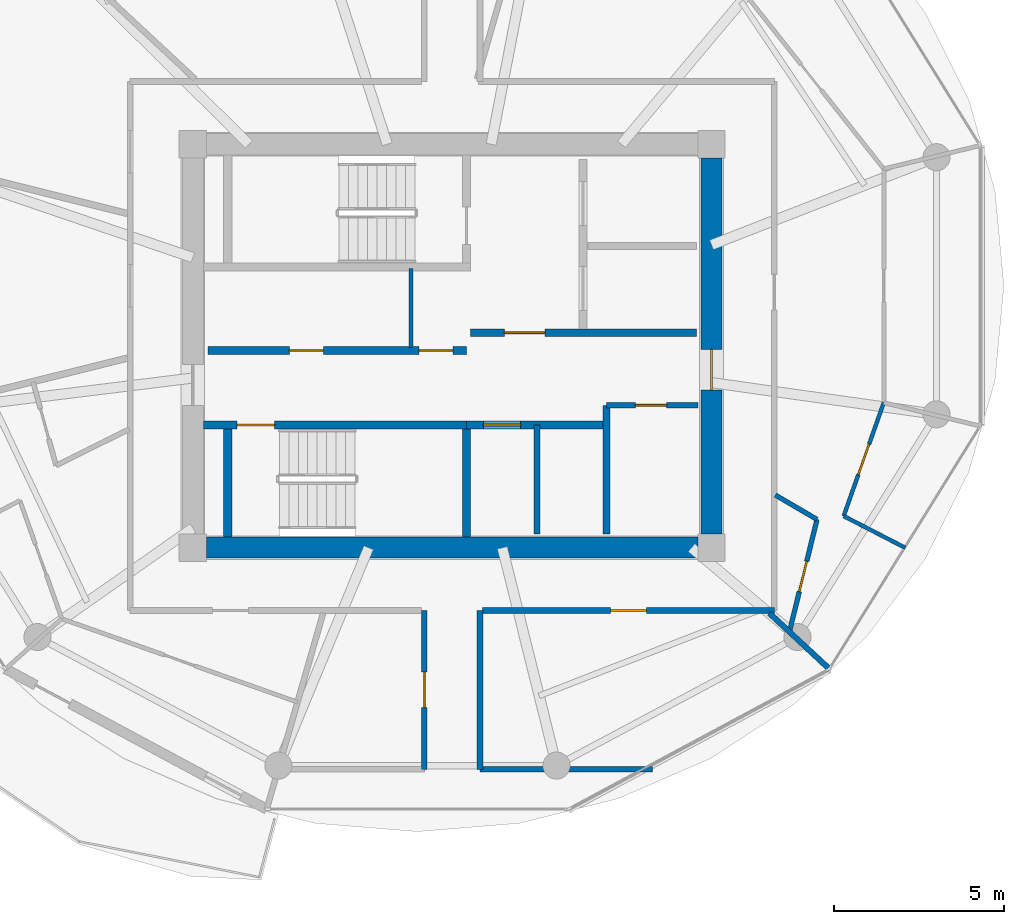
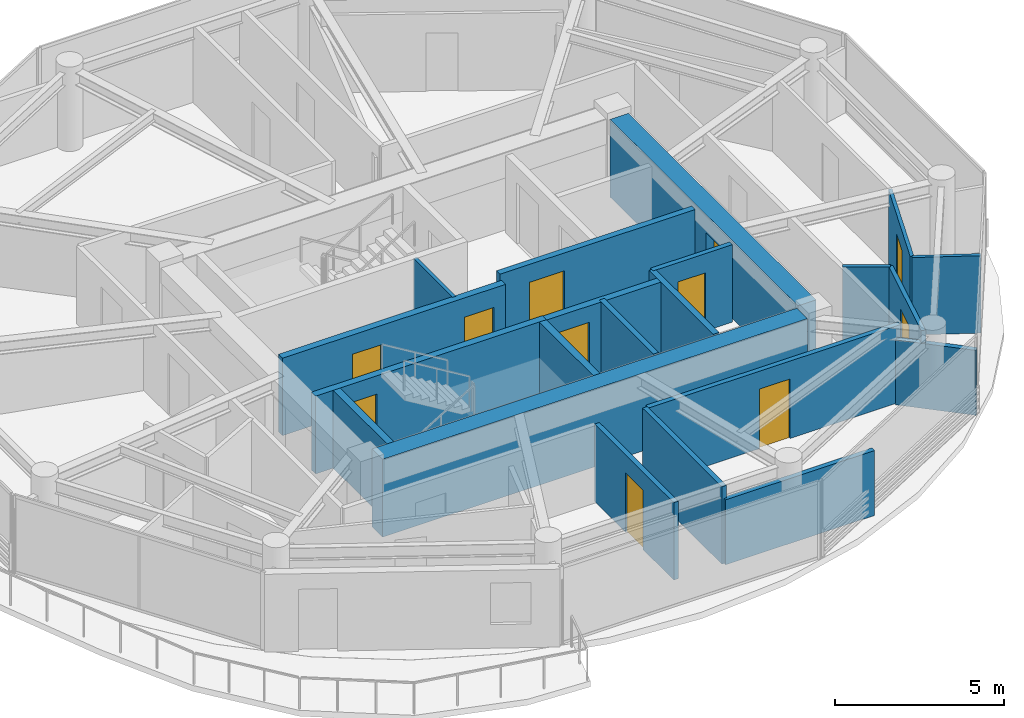
# One storey, part 16 of 21: 21 walls, 11 doors, 11 openings.
"""IFC4 building model written with IfcOpenShell, lengths in metres."""

from ifc_helpers import new_model, si_unit, direction, frame, frame_2d, origin, place, context, subcontext, project, spatial, rectangle, extrude, source, transform, mapped, material, layer, layer_set, type_object, type_shapes, element, fill, save


model = new_model("IFC4")

# Units and contexts
model_context = context("Model", 3, precision=1e-05, world=origin(), true_north=direction((0.0, 1.0)))
body_context = subcontext(model_context, "Body", "Model", "MODEL_VIEW")
ifc_project = project(units=[si_unit("LENGTHUNIT", "METRE"), si_unit("AREAUNIT", "SQUARE_METRE"), si_unit("VOLUMEUNIT", "CUBIC_METRE"), si_unit("PLANEANGLEUNIT", "RADIAN"), si_unit("MASSUNIT", "GRAM", prefix="KILO")], contexts=[model_context])

# Site, building, storey
site_placement = place(None, origin())
site = spatial("IfcSite", under=ifc_project, at=site_placement, CompositionType="ELEMENT")
building_placement = place(site_placement, origin())
building = spatial("IfcBuilding", under=site, at=building_placement, Name="Norrkilde Senior Care Towers", CompositionType="ELEMENT")
storey_placement = place(building_placement, frame((0.0, 0.0, 140.39990234375)))
storey = spatial("IfcBuildingStorey", under=building, at=storey_placement, Name="L43", CompositionType="ELEMENT", Elevation=140.39990234375)

# Wall
ifc_material_1 = material(Name="Concrete C50/60", Category="concrete")
ifc_layer_1 = layer(ifc_material_1, 0.6201171875)
ifc_layer_set_1 = layer_set([ifc_layer_1], Name="Concrete C50/60")
wall_type_1 = type_object("IfcWallType", Name="Core Shear Wall Z3 620", PredefinedType="SHEAR", material=ifc_layer_set_1)
shared_shape_1 = source(origin(), body_context, "Body", "SweptSolid", [
    extrude(rectangle(XDim=14.5, YDim=0.6201171875, at=frame_2d((7.25, 0.0))), origin(), (0.0, 0.0, 1.0), 2.81005859375),
])
wall_1_placement = place(storey_placement, frame((35.25, -5.949951171875, 0.0), z_axis=(0.0, 0.0, 1.0), x_axis=(-1.0, 0.0, 0.0)))
element("IfcWall", 1, at=wall_1_placement, inside=storey, type_object=wall_type_1, Name="L43 Core E South Shear Wall", PredefinedType="SHEAR", context=body_context, shape_type="MappedRepresentation", body=[
    mapped(shared_shape_1, transform((0.0, 0.0, 0.0), x_axis=(1.0, 0.0, 0.0), y_axis=(0.0, 1.0, 0.0), z_axis=(0.0, 0.0, 1.0), scale=1.0)),
])

# Wall, opening, door
shared_shape_2 = source(origin(), body_context, "Body", "SweptSolid", [
    extrude(rectangle(XDim=11.10009765625, YDim=0.6201171875, at=frame_2d((5.550048828125, 0.0))), origin(), (0.0, 0.0, 1.0), 2.81005859375),
])
type_shapes(wall_type_1, [shared_shape_1, shared_shape_2])
wall_2_placement = place(storey_placement, frame((35.64990234375, 5.550048828125, 0.0), z_axis=(0.0, 0.0, 1.0), x_axis=(0.0, -1.0, 0.0)))
wall_2 = element("IfcWall", 2, at=wall_2_placement, inside=storey, type_object=wall_type_1, Name="L43 Core E East Shear Wall", PredefinedType="SHEAR", context=body_context, shape_type="MappedRepresentation", body=[
    mapped(shared_shape_2, transform((0.0, 0.0, 0.0), x_axis=(1.0, 0.0, 0.0), y_axis=(0.0, 1.0, 0.0), z_axis=(0.0, 0.0, 1.0), scale=1.0)),
])
opening_1_placement = place(wall_2_placement, frame((5.64990234375, 0.0, 0.0)))
opening_1 = element("IfcOpeningElement", 3, at=opening_1_placement, cuts=wall_2, Name="Opening D-04", PredefinedType="OPENING", context=body_context, shape_type="SweptSolid", body=[
    extrude(rectangle(XDim=1.199951171875, YDim=2.14990234375, at=frame_2d((0.60009765625, 1.074951171875))), frame((0.0, 0.320068359375, 0.0), z_axis=(0.0, -1.0, 0.0), x_axis=(1.0, 0.0, 0.0)), (0.0, 0.0, 1.0), 0.64013671875),
])
ifc_material_2 = material(Name="Galvanised Painted Steel", Category="steel")
door_type_1 = type_object("IfcDoorType", Name="Firefighting Lobby Fire Door 1200x2150", OperationType="NOTDEFINED", PredefinedType="DOOR", material=ifc_material_2)
shared_shape_3 = source(origin(), body_context, "Body", "SweptSolid", [
    extrude(rectangle(XDim=1.199951171875, YDim=2.14990234375, at=frame_2d((0.60009765625, 1.074951171875))), frame((0.0, 0.02490234375, 0.0), z_axis=(0.0, -1.0, 0.0), x_axis=(1.0, 0.0, 0.0)), (0.0, 0.0, 1.0), 0.050048828125),
])
type_shapes(door_type_1, [shared_shape_3])
door_1_placement = place(opening_1_placement, frame((1.199951171875, 0.0, 0.0), z_axis=(0.0, 0.0, 1.0), x_axis=(-1.0, 0.0, 0.0)))
door_1 = element("IfcDoor", 4, at=door_1_placement, inside=storey, type_object=door_type_1, Name="L43 Core E East Portal Door", OperationType="SINGLE_SWING_RIGHT", OverallHeight=2.14990234375, OverallWidth=1.199951171875, PredefinedType="DOOR", context=body_context, shape_type="MappedRepresentation", body=[
    mapped(shared_shape_3, transform((0.0, 0.0, 0.0), x_axis=(1.0, 0.0, 0.0), y_axis=(0.0, 1.0, 0.0), z_axis=(0.0, 0.0, 1.0), scale=1.0)),
])
fill(opening_1, door_1)

ifc_material_3 = material(Name="Concrete C45/55", Category="concrete")
ifc_layer_2 = layer(ifc_material_3, 0.239990234375)
ifc_layer_set_2 = layer_set([ifc_layer_2], Name="Concrete C45/55")
wall_type_2 = type_object("IfcWallType", Name="Shaft and Stair Enclosure Wall 240", PredefinedType="PARTITIONING", material=ifc_layer_set_2)
shared_shape_4 = source(origin(), body_context, "Body", "SweptSolid", [
    extrude(rectangle(XDim=7.880126953125, YDim=0.239990234375, at=frame_2d((3.93994140625, 0.0))), origin(), (0.0, 0.0, 1.0), 2.81005859375),
])
wall_3_placement = place(storey_placement, frame((20.659912109375, -2.330078125, 0.0), z_axis=(0.0, 0.0, 1.0), x_axis=(1.0, 0.0, 0.0)))
wall_3 = element("IfcWall", 5, at=wall_3_placement, inside=storey, type_object=wall_type_2, Name="WL-INT-L43-E-ST2N", PredefinedType="PARTITIONING", context=body_context, shape_type="MappedRepresentation", body=[
    mapped(shared_shape_4, transform((0.0, 0.0, 0.0), x_axis=(1.0, 0.0, 0.0), y_axis=(0.0, 1.0, 0.0), z_axis=(0.0, 0.0, 1.0), scale=1.0)),
])
opening_2_placement = place(wall_3_placement, frame((1.0, 0.0, 0.0)))
opening_2 = element("IfcOpeningElement", 6, at=opening_2_placement, cuts=wall_3, Name="Opening D-03", PredefinedType="OPENING", context=body_context, shape_type="SweptSolid", body=[
    extrude(rectangle(XDim=1.10009765625, YDim=2.14990234375, at=frame_2d((0.550048828125, 1.074951171875))), frame((0.0, 0.1298828125, 0.0), z_axis=(0.0, -1.0, 0.0), x_axis=(1.0, 0.0, 0.0)), (0.0, 0.0, 1.0), 0.260009765625),
])
door_type_2 = type_object("IfcDoorType", Name="Stairwell Protected Fire Door 1100x2150", OperationType="NOTDEFINED", PredefinedType="DOOR", material=ifc_material_2)
shared_shape_5 = source(origin(), body_context, "Body", "SweptSolid", [
    extrude(rectangle(XDim=1.10009765625, YDim=2.14990234375, at=frame_2d((0.550048828125, 1.074951171875))), frame((0.0, 0.02490234375, 0.0), z_axis=(0.0, -1.0, 0.0), x_axis=(1.0, 0.0, 0.0)), (0.0, 0.0, 1.0), 0.050048828125),
])
type_shapes(door_type_2, [shared_shape_5])
door_2_placement = place(opening_2_placement, frame((1.10009765625, 0.0, 0.0), z_axis=(0.0, 0.0, 1.0), x_axis=(-1.0, 0.0, 0.0)))
door_2 = element("IfcDoor", 7, at=door_2_placement, inside=storey, type_object=door_type_2, Name="L43 Stair E2 Fire Door", OperationType="SINGLE_SWING_RIGHT", OverallHeight=2.14990234375, OverallWidth=1.10009765625, PredefinedType="DOOR", context=body_context, shape_type="MappedRepresentation", body=[
    mapped(shared_shape_5, transform((0.0, 0.0, 0.0), x_axis=(1.0, 0.0, 0.0), y_axis=(0.0, 1.0, 0.0), z_axis=(0.0, 0.0, 1.0), scale=1.0)),
])
fill(opening_2, door_2)

# Walls
shared_shape_6 = source(origin(), body_context, "Body", "SweptSolid", [
    extrude(rectangle(XDim=3.18994140625, YDim=0.239990234375, at=frame_2d((1.594970703125, 0.0))), origin(), (0.0, 0.0, 1.0), 2.81005859375),
])
type_shapes(wall_type_2, [shared_shape_4, shared_shape_6])
for number, where, z_axis, x_axis, name in (
    (8, (21.3798828125, -5.639892578125, 0.0), (0.0, 0.0, 1.0), (0.0, 1.0, 0.0), "WL-INT-L43-E-ST2W"),
    (9, (28.419921875, -5.639892578125, 0.0), (0.0, 0.0, 1.0), (0.0, 1.0, 0.0), "WL-INT-L43-E-ST2E"),
):
    element("IfcWall", number, at=place(storey_placement, frame(where, z_axis=z_axis, x_axis=x_axis)), inside=storey, type_object=wall_type_2, Name=name, PredefinedType="PARTITIONING", context=body_context, shape_type="MappedRepresentation", body=[
        mapped(shared_shape_6, transform((0.0, 0.0, 0.0), x_axis=(1.0, 0.0, 0.0), y_axis=(0.0, 1.0, 0.0), z_axis=(0.0, 0.0, 1.0), scale=1.0)),
    ])

# Wall, opening, door
ifc_layer_3 = layer(ifc_material_3, 0.2099609375)
ifc_layer_set_3 = layer_set([ifc_layer_3], Name="Concrete C45/55")
wall_type_3 = type_object("IfcWallType", Name="Firefighting Lobby Wall 210", PredefinedType="PARTITIONING", material=ifc_layer_set_3)
shared_shape_7 = source(origin(), body_context, "Body", "SweptSolid", [
    extrude(rectangle(XDim=6.659912109375, YDim=0.2099609375, at=frame_2d((3.330078125, 0.0))), origin(), (0.0, 0.0, 1.0), 2.795166015625),
])
type_shapes(wall_type_3, [shared_shape_7])
wall_4_placement = place(storey_placement, frame((28.5400390625, 0.389892578125, 0.0), z_axis=(0.0, 0.0, 1.0), x_axis=(1.0, 0.0, 0.0)))
wall_4 = element("IfcWall", 10, at=wall_4_placement, inside=storey, type_object=wall_type_3, Name="WL-INT-L43-E-FFLS", PredefinedType="PARTITIONING", context=body_context, shape_type="MappedRepresentation", body=[
    mapped(shared_shape_7, transform((0.0, 0.0, 0.0), x_axis=(1.0, 0.0, 0.0), y_axis=(0.0, 1.0, 0.0), z_axis=(0.0, 0.0, 1.0), scale=1.0)),
])
opening_3_placement = place(wall_4_placement, frame((1.0, 0.0, 0.0)))
opening_3 = element("IfcOpeningElement", 11, at=opening_3_placement, cuts=wall_4, Name="Opening D-04", PredefinedType="OPENING", context=body_context, shape_type="SweptSolid", body=[
    extrude(rectangle(XDim=1.199951171875, YDim=2.14990234375, at=frame_2d((0.60009765625, 1.074951171875))), frame((0.0, 0.114990234375, 0.0), z_axis=(0.0, -1.0, 0.0), x_axis=(1.0, 0.0, 0.0)), (0.0, 0.0, 1.0), 0.22998046875),
])
door_3_placement = place(opening_3_placement, frame((1.199951171875, 0.0, 0.0), z_axis=(0.0, 0.0, 1.0), x_axis=(-1.0, 0.0, 0.0)))
door_3 = element("IfcDoor", 12, at=door_3_placement, inside=storey, type_object=door_type_1, Name="L43 Firefighting Lobby E Door", OperationType="SINGLE_SWING_LEFT", OverallHeight=2.14990234375, OverallWidth=1.199951171875, PredefinedType="DOOR", context=body_context, shape_type="MappedRepresentation", body=[
    mapped(shared_shape_3, transform((0.0, 0.0, 0.0), x_axis=(1.0, 0.0, 0.0), y_axis=(0.0, 1.0, 0.0), z_axis=(0.0, 0.0, 1.0), scale=1.0)),
])
fill(opening_3, door_3)

# Wall, openings, doors
ifc_layer_4 = layer(ifc_material_3, 0.239990234375)
ifc_layer_set_4 = layer_set([ifc_layer_4], Name="Concrete C45/55")
wall_type_4 = type_object("IfcWallType", Name="Lift and Plant Rated Enclosure Partition 240", PredefinedType="PARTITIONING", material=ifc_layer_set_4)
shared_shape_8 = source(origin(), body_context, "Body", "SweptSolid", [
    extrude(rectangle(XDim=7.619873046875, YDim=0.239990234375, at=frame_2d((3.81005859375, 0.0))), origin(), (0.0, 0.0, 1.0), 2.795166015625),
])
wall_5_placement = place(storey_placement, frame((20.800048828125, -0.1298828125, 0.0), z_axis=(0.0, 0.0, 1.0), x_axis=(1.0, 0.0, 0.0)))
wall_5 = element("IfcWall", 13, at=wall_5_placement, inside=storey, type_object=wall_type_4, Name="WL-INT-L43-E-PKAS", PredefinedType="PARTITIONING", context=body_context, shape_type="MappedRepresentation", body=[
    mapped(shared_shape_8, transform((0.0, 0.0, 0.0), x_axis=(1.0, 0.0, 0.0), y_axis=(0.0, 1.0, 0.0), z_axis=(0.0, 0.0, 1.0), scale=1.0)),
])
opening_4_placement = place(wall_5_placement, frame((6.219970703125, 0.0, 0.0)))
opening_4 = element("IfcOpeningElement", 14, at=opening_4_placement, cuts=wall_5, Name="Opening D-10", PredefinedType="OPENING", context=body_context, shape_type="SweptSolid", body=[
    extrude(rectangle(XDim=1.0, YDim=2.10009765625, at=frame_2d((0.5, 1.050048828125))), frame((0.0, 0.1298828125, 0.0), z_axis=(0.0, -1.0, 0.0), x_axis=(1.0, 0.0, 0.0)), (0.0, 0.0, 1.0), 0.260009765625),
])
opening_5_placement = place(wall_5_placement, frame((2.39990234375, 0.0, 0.0)))
opening_5 = element("IfcOpeningElement", 15, at=opening_5_placement, cuts=wall_5, Name="Opening D-10", PredefinedType="OPENING", context=body_context, shape_type="SweptSolid", body=[
    extrude(rectangle(XDim=1.0, YDim=2.10009765625, at=frame_2d((0.5, 1.050048828125))), frame((0.0, 0.1298828125, 0.0), z_axis=(0.0, -1.0, 0.0), x_axis=(1.0, 0.0, 0.0)), (0.0, 0.0, 1.0), 0.260009765625),
])
door_type_3 = type_object("IfcDoorType", Name="Plant and Riser Rated Door 1000x2100", OperationType="NOTDEFINED", PredefinedType="DOOR", material=ifc_material_2)
shared_shape_9 = source(origin(), body_context, "Body", "SweptSolid", [
    extrude(rectangle(XDim=1.0, YDim=2.10009765625, at=frame_2d((0.5, 1.050048828125))), frame((0.0, 0.02490234375, 0.0), z_axis=(0.0, -1.0, 0.0), x_axis=(1.0, 0.0, 0.0)), (0.0, 0.0, 1.0), 0.050048828125),
])
type_shapes(door_type_3, [shared_shape_9])
door_4_placement = place(opening_4_placement, frame((1.0, 0.0, 0.0), z_axis=(0.0, 0.0, 1.0), x_axis=(-1.0, 0.0, 0.0)))
door_4 = element("IfcDoor", 16, at=door_4_placement, inside=storey, type_object=door_type_3, Name="L43 Electrical Riser E Door", OperationType="SINGLE_SWING_LEFT", OverallHeight=2.10009765625, OverallWidth=1.0, PredefinedType="DOOR", context=body_context, shape_type="MappedRepresentation", body=[
    mapped(shared_shape_9, transform((0.0, 0.0, 0.0), x_axis=(1.0, 0.0, 0.0), y_axis=(0.0, 1.0, 0.0), z_axis=(0.0, 0.0, 1.0), scale=1.0)),
])
fill(opening_4, door_4)
door_5_placement = place(opening_5_placement, frame((1.0, 0.0, 0.0), z_axis=(0.0, 0.0, 1.0), x_axis=(-1.0, 0.0, 0.0)))
door_5 = element("IfcDoor", 17, at=door_5_placement, inside=storey, type_object=door_type_3, Name="L43 Clean Supply Store E Door", OperationType="SINGLE_SWING_LEFT", OverallHeight=2.10009765625, OverallWidth=1.0, PredefinedType="DOOR", context=body_context, shape_type="MappedRepresentation", body=[
    mapped(shared_shape_9, transform((0.0, 0.0, 0.0), x_axis=(1.0, 0.0, 0.0), y_axis=(0.0, 1.0, 0.0), z_axis=(0.0, 0.0, 1.0), scale=1.0)),
])
fill(opening_5, door_5)

# Walls
ifc_material_4 = material(Name="Gypsum Acoustic Board")
ifc_layer_5 = layer(ifc_material_4, 0.114990234375)
ifc_layer_set_5 = layer_set([ifc_layer_5], Name="Gypsum Acoustic Board")
wall_type_5 = type_object("IfcWallType", Name="Internal Room Partition 115", PredefinedType="PARTITIONING", material=ifc_layer_set_5)
shared_shape_10 = source(origin(), body_context, "Body", "SweptSolid", [
    extrude(rectangle(XDim=2.330078125, YDim=0.114990234375, at=frame_2d((1.1650390625, 0.0))), origin(), (0.0, 0.0, 1.0), 2.795166015625),
])
wall_6_placement = place(storey_placement, frame((26.7900390625, -0.050048828125, 0.0), z_axis=(0.0, 0.0, 1.0), x_axis=(0.0, 1.0, 0.0)))
element("IfcWall", 18, at=wall_6_placement, inside=storey, type_object=wall_type_5, Name="WL-INT-L43-E-RISW", PredefinedType="PARTITIONING", context=body_context, shape_type="MappedRepresentation", body=[
    mapped(shared_shape_10, transform((0.0, 0.0, 0.0), x_axis=(1.0, 0.0, 0.0), y_axis=(0.0, 1.0, 0.0), z_axis=(0.0, 0.0, 1.0), scale=1.0)),
])
ifc_layer_6 = layer(ifc_material_3, 0.199951171875)
ifc_layer_set_6 = layer_set([ifc_layer_6], Name="Concrete C45/55")
wall_type_6 = type_object("IfcWallType", Name="Shaft Division and Plant Partition 200", PredefinedType="PARTITIONING", material=ifc_layer_set_6)
shared_shape_11 = source(origin(), body_context, "Body", "SweptSolid", [
    extrude(rectangle(XDim=3.800048828125, YDim=0.199951171875, at=frame_2d((1.89990234375, 0.0))), origin(), (0.0, 0.0, 1.0), 2.795166015625),
])
type_shapes(wall_type_6, [shared_shape_11])
wall_7_placement = place(storey_placement, frame((32.550048828125, -5.550048828125, 0.0), z_axis=(0.0, 0.0, 1.0), x_axis=(0.0, 1.0, 0.0)))
element("IfcWall", 19, at=wall_7_placement, inside=storey, type_object=wall_type_6, Name="WL-INT-L43-E-PKBE", PredefinedType="PARTITIONING", context=body_context, shape_type="MappedRepresentation", body=[
    mapped(shared_shape_11, transform((0.0, 0.0, 0.0), x_axis=(1.0, 0.0, 0.0), y_axis=(0.0, 1.0, 0.0), z_axis=(0.0, 0.0, 1.0), scale=1.0)),
])

# Wall, opening, door
shared_shape_12 = source(origin(), body_context, "Body", "SweptSolid", [
    extrude(rectangle(XDim=4.130126953125, YDim=0.239990234375, at=frame_2d((2.06494140625, 0.0))), origin(), (0.0, 0.0, 1.0), 2.795166015625),
])
type_shapes(wall_type_4, [shared_shape_8, shared_shape_12])
wall_8_placement = place(storey_placement, frame((28.419921875, -2.330078125, 0.0), z_axis=(0.0, 0.0, 1.0), x_axis=(1.0, 0.0, 0.0)))
wall_8 = element("IfcWall", 20, at=wall_8_placement, inside=storey, type_object=wall_type_4, Name="WL-INT-L43-E-PKBN", PredefinedType="PARTITIONING", context=body_context, shape_type="MappedRepresentation", body=[
    mapped(shared_shape_12, transform((0.0, 0.0, 0.0), x_axis=(1.0, 0.0, 0.0), y_axis=(0.0, 1.0, 0.0), z_axis=(0.0, 0.0, 1.0), scale=1.0)),
])
opening_6_placement = place(wall_8_placement, frame((0.5, 0.0, 0.0)))
opening_6 = element("IfcOpeningElement", 21, at=opening_6_placement, cuts=wall_8, Name="Opening LD-01", PredefinedType="OPENING", context=body_context, shape_type="SweptSolid", body=[
    extrude(rectangle(XDim=1.10009765625, YDim=2.199951171875, at=frame_2d((0.550048828125, 1.10009765625))), frame((0.0, 0.1298828125, 0.0), z_axis=(0.0, -1.0, 0.0), x_axis=(1.0, 0.0, 0.0)), (0.0, 0.0, 1.0), 0.260009765625),
])
ifc_material_5 = material(Name="Stainless Steel", Category="steel")
door_type_4 = type_object("IfcDoorType", Name="Lift Landing Sliding Door 1100x2200", OperationType="NOTDEFINED", PredefinedType="DOOR", material=ifc_material_5)
shared_shape_13 = source(origin(), body_context, "Body", "SweptSolid", [
    extrude(rectangle(XDim=1.10009765625, YDim=2.199951171875, at=frame_2d((0.550048828125, 1.10009765625))), frame((0.0, 0.02490234375, 0.0), z_axis=(0.0, -1.0, 0.0), x_axis=(1.0, 0.0, 0.0)), (0.0, 0.0, 1.0), 0.050048828125),
])
type_shapes(door_type_4, [shared_shape_13])
door_6_placement = place(opening_6_placement, frame((1.10009765625, 0.0, 0.0), z_axis=(0.0, 0.0, 1.0), x_axis=(-1.0, 0.0, 0.0)))
door_6 = element("IfcDoor", 22, at=door_6_placement, inside=storey, type_object=door_type_4, Name="L43 Passenger Lift E3 Landing Door", OperationType="SLIDING_TO_LEFT", OverallHeight=2.199951171875, OverallWidth=1.10009765625, PredefinedType="DOOR", context=body_context, shape_type="MappedRepresentation", body=[
    mapped(shared_shape_13, transform((0.0, 0.0, 0.0), x_axis=(1.0, 0.0, 0.0), y_axis=(0.0, 1.0, 0.0), z_axis=(0.0, 0.0, 1.0), scale=1.0)),
])
fill(opening_6, door_6)

# Wall
ifc_layer_7 = layer(ifc_material_3, 0.179931640625)
ifc_layer_set_7 = layer_set([ifc_layer_7], Name="Concrete C45/55")
wall_type_7 = type_object("IfcWallType", Name="Hoistway Division Rated Partition 180", PredefinedType="PARTITIONING", material=ifc_layer_set_7)
shared_shape_14 = source(origin(), body_context, "Body", "SweptSolid", [
    extrude(rectangle(XDim=3.219970703125, YDim=0.179931640625, at=frame_2d((1.60986328125, 0.0))), origin(), (0.0, 0.0, 1.0), 2.795166015625),
])
type_shapes(wall_type_7, [shared_shape_14])
wall_9_placement = place(storey_placement, frame((30.5, -5.550048828125, 0.0), z_axis=(0.0, 0.0, 1.0), x_axis=(0.0, 1.0, 0.0)))
element("IfcWall", 23, at=wall_9_placement, inside=storey, type_object=wall_type_7, Name="WL-INT-L43-E-PL34", PredefinedType="PARTITIONING", context=body_context, shape_type="MappedRepresentation", body=[
    mapped(shared_shape_14, transform((0.0, 0.0, 0.0), x_axis=(1.0, 0.0, 0.0), y_axis=(0.0, 1.0, 0.0), z_axis=(0.0, 0.0, 1.0), scale=1.0)),
])

# Wall, opening, door
ifc_layer_8 = layer(ifc_material_4, 0.1650390625)
ifc_layer_set_8 = layer_set([ifc_layer_8], Name="Gypsum Acoustic Board")
wall_type_8 = type_object("IfcWallType", Name="Corridor Rated Partition 165", PredefinedType="PARTITIONING", material=ifc_layer_set_8)
shared_shape_15 = source(origin(), body_context, "Body", "SweptSolid", [
    extrude(rectangle(XDim=2.699951171875, YDim=0.1650390625, at=frame_2d((1.35009765625, 0.0))), origin(), (0.0, 0.0, 1.0), 2.795166015625),
])
wall_10_placement = place(storey_placement, frame((32.550048828125, -1.75, 0.0), z_axis=(0.0, 0.0, 1.0), x_axis=(1.0, 0.0, 0.0)))
wall_10 = element("IfcWall", 24, at=wall_10_placement, inside=storey, type_object=wall_type_8, Name="WL-INT-L43-E-CSN", PredefinedType="PARTITIONING", context=body_context, shape_type="MappedRepresentation", body=[
    mapped(shared_shape_15, transform((0.0, 0.0, 0.0), x_axis=(1.0, 0.0, 0.0), y_axis=(0.0, 1.0, 0.0), z_axis=(0.0, 0.0, 1.0), scale=1.0)),
])
opening_7_placement = place(wall_10_placement, frame((0.85009765625, 0.0, 0.0)))
opening_7 = element("IfcOpeningElement", 25, at=opening_7_placement, cuts=wall_10, Name="Opening D-12", PredefinedType="OPENING", context=body_context, shape_type="SweptSolid", body=[
    extrude(rectangle(XDim=0.925048828125, YDim=2.10009765625, at=frame_2d((0.46240234375, 1.050048828125))), frame((0.0, 0.092529296875, 0.0), z_axis=(0.0, -1.0, 0.0), x_axis=(1.0, 0.0, 0.0)), (0.0, 0.0, 1.0), 0.18505859375),
])
door_type_5 = type_object("IfcDoorType", Name="Core Wet Room Rated Door 925x2100", OperationType="NOTDEFINED", PredefinedType="DOOR", material=ifc_material_2)
shared_shape_16 = source(origin(), body_context, "Body", "SweptSolid", [
    extrude(rectangle(XDim=0.925048828125, YDim=2.10009765625, at=frame_2d((0.46240234375, 1.050048828125))), frame((0.0, 0.02490234375, 0.0), z_axis=(0.0, -1.0, 0.0), x_axis=(1.0, 0.0, 0.0)), (0.0, 0.0, 1.0), 0.050048828125),
])
type_shapes(door_type_5, [shared_shape_16])
door_7_placement = place(opening_7_placement, origin())
door_7 = element("IfcDoor", 26, at=door_7_placement, inside=storey, type_object=door_type_5, Name="L43 Core Utility E Door", OperationType="SINGLE_SWING_LEFT", OverallHeight=2.10009765625, OverallWidth=0.925048828125, PredefinedType="DOOR", context=body_context, shape_type="MappedRepresentation", body=[
    mapped(shared_shape_16, transform((0.0, 0.0, 0.0), x_axis=(1.0, 0.0, 0.0), y_axis=(0.0, 1.0, 0.0), z_axis=(0.0, 0.0, 1.0), scale=1.0)),
])
fill(opening_7, door_7)

shared_shape_17 = source(origin(), body_context, "Body", "SweptSolid", [
    extrude(rectangle(XDim=8.60009765625, YDim=0.1650390625, at=frame_2d((4.300048828125, 0.0))), origin(), (0.0, 0.0, 1.0), 2.795166015625),
])
wall_11_placement = place(storey_placement, frame((37.5, -7.800048828125, 0.0), z_axis=(0.0, 0.0, 1.0), x_axis=(-1.0, 0.0, 0.0)))
wall_11 = element("IfcWall", 27, at=wall_11_placement, inside=storey, type_object=wall_type_8, Name="WL-INT-L43-E-CRW-S-0", PredefinedType="PARTITIONING", context=body_context, shape_type="MappedRepresentation", body=[
    mapped(shared_shape_17, transform((0.0, 0.0, 0.0), x_axis=(1.0, 0.0, 0.0), y_axis=(0.0, 1.0, 0.0), z_axis=(0.0, 0.0, 1.0), scale=1.0)),
])
opening_8_placement = place(wall_11_placement, frame((3.77490234375, 0.0, 0.0)))
opening_8 = element("IfcOpeningElement", 28, at=opening_8_placement, cuts=wall_11, Name="Opening D-06", PredefinedType="OPENING", context=body_context, shape_type="SweptSolid", body=[
    extrude(rectangle(XDim=1.050048828125, YDim=2.14990234375, at=frame_2d((0.52490234375, 1.074951171875))), frame((0.0, 0.092529296875, 0.0), z_axis=(0.0, -1.0, 0.0), x_axis=(1.0, 0.0, 0.0)), (0.0, 0.0, 1.0), 0.18505859375),
])
ifc_material_6 = material(Name="Nordic Ash Timber", Category="wood")
door_type_6 = type_object("IfcDoorType", Name="Apartment Entrance Fire Door 1050x2150", OperationType="NOTDEFINED", PredefinedType="DOOR", material=ifc_material_6)
shared_shape_18 = source(origin(), body_context, "Body", "SweptSolid", [
    extrude(rectangle(XDim=1.050048828125, YDim=2.14990234375, at=frame_2d((0.52490234375, 1.074951171875))), frame((0.0, 0.02490234375, 0.0), z_axis=(0.0, -1.0, 0.0), x_axis=(1.0, 0.0, 0.0)), (0.0, 0.0, 1.0), 0.050048828125),
])
type_shapes(door_type_6, [shared_shape_18])
door_8_placement = place(opening_8_placement, frame((1.050048828125, 0.0, 0.0), z_axis=(0.0, 0.0, 1.0), x_axis=(-1.0, 0.0, 0.0)))
door_8 = element("IfcDoor", 29, at=door_8_placement, inside=storey, type_object=door_type_6, Name="L43 Reading Lounge SEL Door", OperationType="SINGLE_SWING_RIGHT", OverallHeight=2.14990234375, OverallWidth=1.050048828125, PredefinedType="DOOR", context=body_context, shape_type="MappedRepresentation", body=[
    mapped(shared_shape_18, transform((0.0, 0.0, 0.0), x_axis=(1.0, 0.0, 0.0), y_axis=(0.0, 1.0, 0.0), z_axis=(0.0, 0.0, 1.0), scale=1.0)),
])
fill(opening_8, door_8)

shared_shape_19 = source(origin(), body_context, "Body", "SweptSolid", [
    extrude(rectangle(XDim=4.6845703125, YDim=0.1650390625, at=frame_2d((2.34228515625, 0.0))), origin(), (0.0, 0.0, 1.0), 2.795166015625),
])
wall_12_placement = place(storey_placement, frame((27.179931640625, -12.484619140625, 0.0), z_axis=(0.0, 0.0, 1.0), x_axis=(0.0, 1.0, 0.0)))
wall_12 = element("IfcWall", 30, at=wall_12_placement, inside=storey, type_object=wall_type_8, Name="WL-INT-L43-E-PKW-SWL", PredefinedType="PARTITIONING", context=body_context, shape_type="MappedRepresentation", body=[
    mapped(shared_shape_19, transform((0.0, 0.0, 0.0), x_axis=(1.0, 0.0, 0.0), y_axis=(0.0, 1.0, 0.0), z_axis=(0.0, 0.0, 1.0), scale=1.0)),
])
opening_9_placement = place(wall_12_placement, frame((1.8173828125, 0.0, 0.0)))
opening_9 = element("IfcOpeningElement", 31, at=opening_9_placement, cuts=wall_12, Name="Opening D-06", PredefinedType="OPENING", context=body_context, shape_type="SweptSolid", body=[
    extrude(rectangle(XDim=1.050048828125, YDim=2.14990234375, at=frame_2d((0.52490234375, 1.074951171875))), frame((0.0, 0.092529296875, 0.0), z_axis=(0.0, -1.0, 0.0), x_axis=(1.0, 0.0, 0.0)), (0.0, 0.0, 1.0), 0.18505859375),
])
door_9_placement = place(opening_9_placement, frame((1.050048828125, 0.0, 0.0), z_axis=(0.0, 0.0, 1.0), x_axis=(-1.0, 0.0, 0.0)))
door_9 = element("IfcDoor", 32, at=door_9_placement, inside=storey, type_object=door_type_6, Name="L43 Reading Lounge SWL Door", OperationType="SINGLE_SWING_RIGHT", OverallHeight=2.14990234375, OverallWidth=1.050048828125, PredefinedType="DOOR", context=body_context, shape_type="MappedRepresentation", body=[
    mapped(shared_shape_18, transform((0.0, 0.0, 0.0), x_axis=(1.0, 0.0, 0.0), y_axis=(0.0, 1.0, 0.0), z_axis=(0.0, 0.0, 1.0), scale=1.0)),
])
fill(opening_9, door_9)

# Walls
wall_13_placement = place(storey_placement, frame((28.820068359375, -12.484619140625, 0.0), z_axis=(0.0, 0.0, 1.0), x_axis=(0.0, 1.0, 0.0)))
element("IfcWall", 33, at=wall_13_placement, inside=storey, type_object=wall_type_8, Name="WL-INT-L43-E-PKW-SEL", PredefinedType="PARTITIONING", context=body_context, shape_type="MappedRepresentation", body=[
    mapped(shared_shape_19, transform((0.0, 0.0, 0.0), x_axis=(1.0, 0.0, 0.0), y_axis=(0.0, 1.0, 0.0), z_axis=(0.0, 0.0, 1.0), scale=1.0)),
])
shared_shape_20 = source(origin(), body_context, "Body", "SweptSolid", [
    extrude(rectangle(XDim=2.434814453125, YDim=0.1650390625, at=frame_2d((1.21728515625, 0.0))), origin(), (0.0, 0.0, 1.0), 2.34521484375),
])
wall_14_placement = place(storey_placement, frame((37.3544921875, -7.8798828125, 0.0), z_axis=(0.0, 0.0, 1.0), x_axis=(0.732164643118, -0.681127693878, 0.0)))
element("IfcWall", 34, at=wall_14_placement, inside=storey, type_object=wall_type_8, Name="WL-INT-L43-E-DEM-10-0", PredefinedType="PARTITIONING", context=body_context, shape_type="MappedRepresentation", body=[
    mapped(shared_shape_20, transform((0.0, 0.0, 0.0), x_axis=(1.0, 0.0, 0.0), y_axis=(0.0, 1.0, 0.0), z_axis=(0.0, 0.0, 1.0), scale=1.0)),
])
shared_shape_21 = source(origin(), body_context, "Body", "SweptSolid", [
    extrude(rectangle(XDim=5.089111328125, YDim=0.1650390625, at=frame_2d((2.54443359375, 0.0))), origin(), (0.0, 0.0, 1.0), 2.34521484375),
])
type_shapes(wall_type_8, [shared_shape_15, shared_shape_17, shared_shape_19, shared_shape_20, shared_shape_21])
wall_15_placement = place(storey_placement, frame((28.820068359375, -12.484619140625, 0.0), z_axis=(0.0, 0.0, 1.0), x_axis=(1.0, 0.0, 0.0)))
element("IfcWall", 35, at=wall_15_placement, inside=storey, type_object=wall_type_8, Name="WL-INT-L43-E-PKH-SEL-0", PredefinedType="PARTITIONING", context=body_context, shape_type="MappedRepresentation", body=[
    mapped(shared_shape_21, transform((0.0, 0.0, 0.0), x_axis=(1.0, 0.0, 0.0), y_axis=(0.0, 1.0, 0.0), z_axis=(0.0, 0.0, 1.0), scale=1.0)),
])
ifc_layer_9 = layer(ifc_material_4, 0.139892578125)
ifc_layer_set_9 = layer_set([ifc_layer_9], Name="Gypsum Acoustic Board")
wall_type_9 = type_object("IfcWallType", Name="En-suite Wet Room Wall 140", PredefinedType="PARTITIONING", material=ifc_layer_set_9)
shared_shape_22 = source(origin(), body_context, "Body", "SweptSolid", [
    extrude(rectangle(XDim=1.4248046875, YDim=0.139892578125, at=frame_2d((0.71240234375, 0.0))), origin(), (0.0, 0.0, 1.0), 2.795166015625),
])
wall_16_placement = place(storey_placement, frame((37.530029296875, -4.3955078125, 0.0), z_axis=(0.0, 0.0, 1.0), x_axis=(0.86324395577, -0.50478695786, 0.0)))
element("IfcWall", 36, at=wall_16_placement, inside=storey, type_object=wall_type_9, Name="WL-INT-L43-E-UBTS-10", PredefinedType="PARTITIONING", context=body_context, shape_type="MappedRepresentation", body=[
    mapped(shared_shape_22, transform((0.0, 0.0, 0.0), x_axis=(1.0, 0.0, 0.0), y_axis=(0.0, 1.0, 0.0), z_axis=(0.0, 0.0, 1.0), scale=1.0)),
])

# Wall, opening, door
shared_shape_23 = source(origin(), body_context, "Body", "SweptSolid", [
    extrude(rectangle(XDim=3.46435546875, YDim=0.139892578125, at=frame_2d((1.732177734375, 0.0))), origin(), (0.0, 0.0, 1.0), 2.795166015625),
])
type_shapes(wall_type_9, [shared_shape_22, shared_shape_23])
wall_17_placement = place(storey_placement, frame((38.760009765625, -5.11474609375, 0.0), z_axis=(0.0, 0.0, 1.0), x_axis=(-0.238055968485, -0.971251438027, 0.0)))
wall_17 = element("IfcWall", 37, at=wall_17_placement, inside=storey, type_object=wall_type_9, Name="WL-INT-L43-E-UBTF-10", PredefinedType="PARTITIONING", context=body_context, shape_type="MappedRepresentation", body=[
    mapped(shared_shape_23, transform((0.0, 0.0, 0.0), x_axis=(1.0, 0.0, 0.0), y_axis=(0.0, 1.0, 0.0), z_axis=(0.0, 0.0, 1.0), scale=1.0)),
])
opening_10_placement = place(wall_17_placement, frame((1.272216796875, 0.0, 0.0)))
opening_10 = element("IfcOpeningElement", 38, at=opening_10_placement, cuts=wall_17, Name="Opening D-08", PredefinedType="OPENING", context=body_context, shape_type="SweptSolid", body=[
    extrude(rectangle(XDim=0.919921875, YDim=2.10009765625, at=frame_2d((0.4599609375, 1.050048828125))), frame((0.0, 0.079833984375, 0.0), z_axis=(0.0, -1.0, 0.0), x_axis=(1.0, 0.0, 0.0)), (0.0, 0.0, 1.0), 0.159912109375),
])
door_type_7 = type_object("IfcDoorType", Name="Accessible Wet Room Door 920x2100", OperationType="NOTDEFINED", PredefinedType="DOOR", material=ifc_material_6)
shared_shape_24 = source(origin(), body_context, "Body", "SweptSolid", [
    extrude(rectangle(XDim=0.919921875, YDim=2.10009765625, at=frame_2d((0.4599609375, 1.050048828125))), frame((0.0, 0.02490234375, 0.0), z_axis=(0.0, -1.0, 0.0), x_axis=(1.0, 0.0, 0.0)), (0.0, 0.0, 1.0), 0.050048828125),
])
type_shapes(door_type_7, [shared_shape_24])
door_10_placement = place(opening_10_placement, origin())
door_10 = element("IfcDoor", 39, at=door_10_placement, inside=storey, type_object=door_type_7, Name="Apartment 43D Bathroom Door", OperationType="SINGLE_SWING_RIGHT", OverallHeight=2.10009765625, OverallWidth=0.919921875, PredefinedType="DOOR", context=body_context, shape_type="MappedRepresentation", body=[
    mapped(shared_shape_24, transform((0.0, 0.0, 0.0), x_axis=(1.0, 0.0, 0.0), y_axis=(0.0, 1.0, 0.0), z_axis=(0.0, 0.0, 1.0), scale=1.0)),
])
fill(opening_10, door_10)

# Wall
shared_shape_25 = source(origin(), body_context, "Body", "SweptSolid", [
    extrude(rectangle(XDim=2.04345703125, YDim=0.114990234375, at=frame_2d((1.021728515625, 0.0))), origin(), (0.0, 0.0, 1.0), 2.795166015625),
])
wall_18_placement = place(storey_placement, frame((39.546875, -5.015625, 0.0), z_axis=(0.0, 0.0, 1.0), x_axis=(0.888790240023, -0.45831420362, 0.0)))
element("IfcWall", 40, at=wall_18_placement, inside=storey, type_object=wall_type_5, Name="WL-INT-L43-E-UKTS-10", PredefinedType="PARTITIONING", context=body_context, shape_type="MappedRepresentation", body=[
    mapped(shared_shape_25, transform((0.0, 0.0, 0.0), x_axis=(1.0, 0.0, 0.0), y_axis=(0.0, 1.0, 0.0), z_axis=(0.0, 0.0, 1.0), scale=1.0)),
])

# Wall, opening, door
shared_shape_26 = source(origin(), body_context, "Body", "SweptSolid", [
    extrude(rectangle(XDim=3.545654296875, YDim=0.114990234375, at=frame_2d((1.77294921875, 0.0))), origin(), (0.0, 0.0, 1.0), 2.795166015625),
])
type_shapes(wall_type_5, [shared_shape_10, shared_shape_25, shared_shape_26])
wall_19_placement = place(storey_placement, frame((39.546875, -5.015625, 0.0), z_axis=(0.0, 0.0, 1.0), x_axis=(0.333403534043, 0.942784218943, 0.0)))
wall_19 = element("IfcWall", 41, at=wall_19_placement, inside=storey, type_object=wall_type_5, Name="WL-INT-L43-E-UKTF-10", PredefinedType="PARTITIONING", context=body_context, shape_type="MappedRepresentation", body=[
    mapped(shared_shape_26, transform((0.0, 0.0, 0.0), x_axis=(1.0, 0.0, 0.0), y_axis=(0.0, 1.0, 0.0), z_axis=(0.0, 0.0, 1.0), scale=1.0)),
])
opening_11_placement = place(wall_19_placement, frame((1.2978515625, 0.0, 0.0)))
opening_11 = element("IfcOpeningElement", 42, at=opening_11_placement, cuts=wall_19, Name="Opening D-07", PredefinedType="OPENING", context=body_context, shape_type="SweptSolid", body=[
    extrude(rectangle(XDim=0.949951171875, YDim=2.10009765625, at=frame_2d((0.47509765625, 1.050048828125))), frame((0.0, 0.0673828125, 0.0), z_axis=(0.0, -1.0, 0.0), x_axis=(1.0, 0.0, 0.0)), (0.0, 0.0, 1.0), 0.135009765625),
])
door_type_8 = type_object("IfcDoorType", Name="Internal Suite Bedroom Door 950x2100", OperationType="NOTDEFINED", PredefinedType="DOOR", material=ifc_material_6)
shared_shape_27 = source(origin(), body_context, "Body", "SweptSolid", [
    extrude(rectangle(XDim=0.949951171875, YDim=2.10009765625, at=frame_2d((0.47509765625, 1.050048828125))), frame((0.0, 0.02490234375, 0.0), z_axis=(0.0, -1.0, 0.0), x_axis=(1.0, 0.0, 0.0)), (0.0, 0.0, 1.0), 0.050048828125),
])
type_shapes(door_type_8, [shared_shape_27])
door_11_placement = place(opening_11_placement, frame((0.949951171875, 0.0, 0.0), z_axis=(0.0, 0.0, 1.0), x_axis=(-1.0, 0.0, 0.0)))
door_11 = element("IfcDoor", 43, at=door_11_placement, inside=storey, type_object=door_type_8, Name="Apartment 43D Kitchen Door", OperationType="SINGLE_SWING_LEFT", OverallHeight=2.10009765625, OverallWidth=0.949951171875, PredefinedType="DOOR", context=body_context, shape_type="MappedRepresentation", body=[
    mapped(shared_shape_27, transform((0.0, 0.0, 0.0), x_axis=(1.0, 0.0, 0.0), y_axis=(0.0, 1.0, 0.0), z_axis=(0.0, 0.0, 1.0), scale=1.0)),
])
fill(opening_11, door_11)

save(model, "model.ifc")
